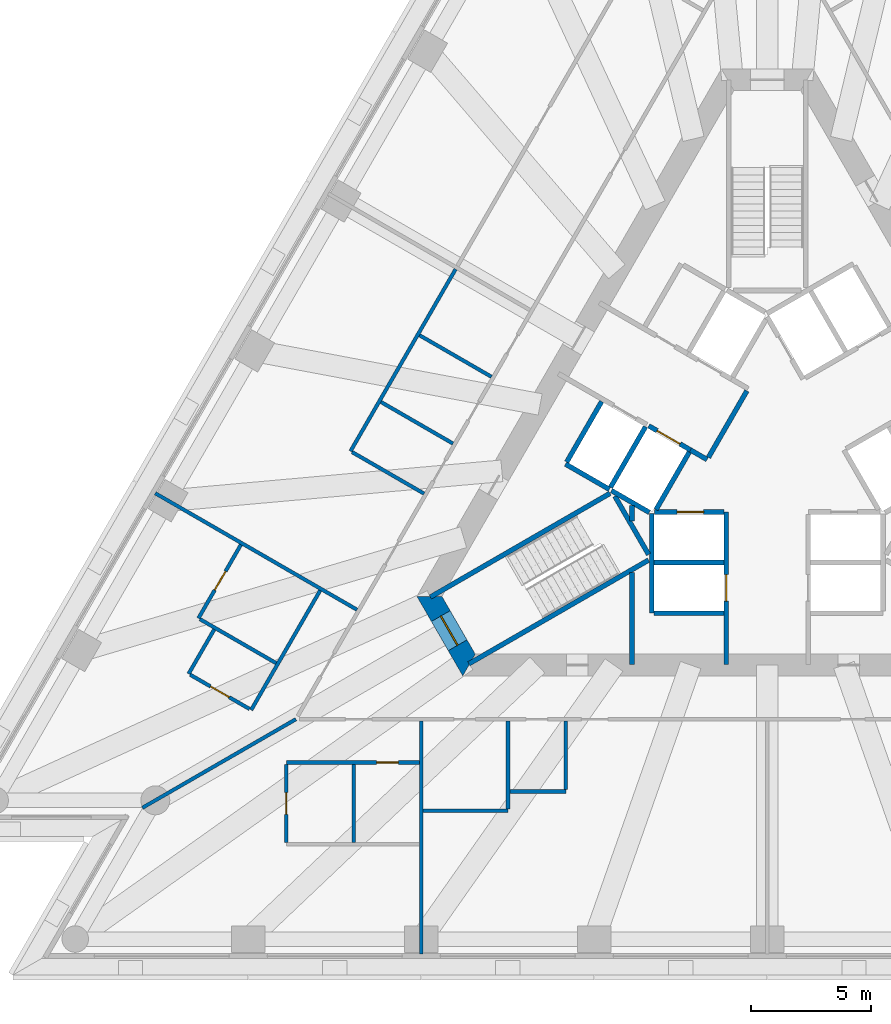
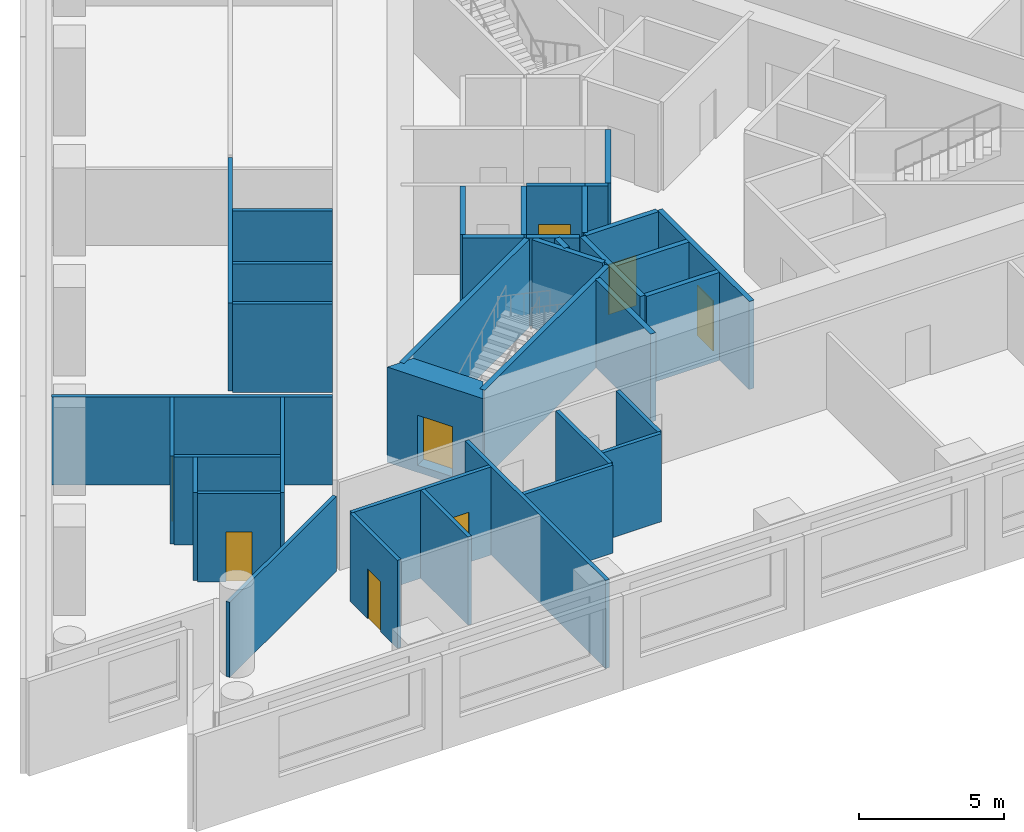
# One storey, part 3 of 11: 38 walls, 8 doors, 8 openings.
"""IFC4 building model written with IfcOpenShell, lengths in metres."""

from ifc_helpers import new_model, si_unit, direction, frame, frame_2d, origin, place, context, subcontext, project, spatial, polyline, rectangle, outline, extrude, material, layer, layer_set, type_object, element, fill, save


model = new_model("IFC4")

# Units and contexts
model_context = context("Model", 3, precision=1e-05, world=origin(), true_north=direction((0.0, 1.0)))
body_context = subcontext(model_context, "Body", "Model", "MODEL_VIEW")
ifc_project = project(units=[si_unit("LENGTHUNIT", "METRE"), si_unit("AREAUNIT", "SQUARE_METRE"), si_unit("VOLUMEUNIT", "CUBIC_METRE"), si_unit("PLANEANGLEUNIT", "RADIAN"), si_unit("MASSUNIT", "GRAM", prefix="KILO")], contexts=[model_context])

# Site, building, storey
site_placement = place(None, origin())
site = spatial("IfcSite", under=ifc_project, at=site_placement, CompositionType="ELEMENT")
building_placement = place(site_placement, origin())
building = spatial("IfcBuilding", under=site, at=building_placement, Name="Triada Interchange Tower", CompositionType="ELEMENT")
storey_placement = place(building_placement, frame((0.0, 0.0, 87.300048828125)))
storey = spatial("IfcBuildingStorey", under=building, at=storey_placement, Name="L19", CompositionType="ELEMENT", Elevation=87.300048828125)

# Walls
ifc_material_1 = material(Name="Concrete C30/37", Category="concrete")
ifc_layer_1 = layer(ifc_material_1, 0.199951171875)
ifc_layer_set_1 = layer_set([ifc_layer_1], Name="CORE WALL 200 EI 120")
wall_type_1 = type_object("IfcWallType", Name="CORE WALL 200 EI 120", PredefinedType="SOLIDWALL", material=ifc_layer_set_1)
wall_1_placement = place(storey_placement, frame((-8.3759765625, -0.70703125, 0.0), z_axis=(0.0, 0.0, 1.0), x_axis=(0.866067520717, -0.499927044236, 0.0)))
element("IfcWall", 1, at=wall_1_placement, inside=storey, type_object=wall_type_1, Name="Wall L18 42", PredefinedType="SOLIDWALL", context=body_context, shape_type="SweptSolid", body=[
    extrude(rectangle(XDim=2.100341796875, YDim=0.199951171875, at=frame_2d((1.05029296875, 0.0))), origin(), (0.0, 0.0, 1.0), 3.699951171875),
])
wall_2_placement = place(storey_placement, frame((-8.325927734375, -0.6201171875, 0.0), z_axis=(0.0, 0.0, 1.0), x_axis=(0.500023687443, 0.866011727401, 0.0)))
element("IfcWall", 2, at=wall_2_placement, inside=storey, type_object=wall_type_1, Name="Wall L18 43", PredefinedType="SOLIDWALL", context=body_context, shape_type="SweptSolid", body=[
    extrude(rectangle(XDim=2.899658203125, YDim=0.199951171875, at=frame_2d((1.44970703125, 0.0))), origin(), (0.0, 0.0, 1.0), 3.699951171875),
])
wall_3_placement = place(storey_placement, frame((-4.699951171875, -4.800048828125, 0.0), z_axis=(0.0, 0.0, 1.0), x_axis=(1.0, 0.0, 0.0)))
element("IfcWall", 3, at=wall_3_placement, inside=storey, type_object=wall_type_1, Name="Wall L18 44", PredefinedType="SOLIDWALL", context=body_context, shape_type="SweptSolid", body=[
    extrude(rectangle(XDim=2.89990234375, YDim=0.199951171875, at=frame_2d((1.449951171875, 0.0))), origin(), (0.0, 0.0, 1.0), 3.699951171875),
])
wall_4_placement = place(storey_placement, frame((-4.800048828125, -6.89990234375, 0.0), z_axis=(0.0, 0.0, 1.0), x_axis=(0.0, 1.0, 0.0)))
element("IfcWall", 4, at=wall_4_placement, inside=storey, type_object=wall_type_1, Name="Wall L18 46", PredefinedType="SOLIDWALL", context=body_context, shape_type="SweptSolid", body=[
    extrude(rectangle(XDim=4.130859375, YDim=0.199951171875, at=frame_2d((2.0654296875, 0.0))), origin(), (0.0, 0.0, 1.0), 3.699951171875),
])
wall_5_placement = place(storey_placement, frame((-4.699951171875, -6.89990234375, 0.0), z_axis=(0.0, 0.0, 1.0), x_axis=(1.0, 0.0, 0.0)))
element("IfcWall", 5, at=wall_5_placement, inside=storey, type_object=wall_type_1, Name="Wall L18 47", PredefinedType="SOLIDWALL", context=body_context, shape_type="SweptSolid", body=[
    extrude(rectangle(XDim=2.89990234375, YDim=0.199951171875, at=frame_2d((1.449951171875, 0.0))), origin(), (0.0, 0.0, 1.0), 3.699951171875),
])

# Wall, opening, door
wall_6_placement = place(storey_placement, frame((-1.699951171875, -9.030029296875, 0.0), z_axis=(0.0, 0.0, 1.0), x_axis=(0.0, 1.0, 0.0)))
wall_6 = element("IfcWall", 6, at=wall_6_placement, inside=storey, type_object=wall_type_1, Name="Wall L18 49", PredefinedType="SOLIDWALL", context=body_context, shape_type="SweptSolid", body=[
    extrude(rectangle(XDim=6.3271484375, YDim=0.199951171875, at=frame_2d((3.16357421875, 0.0))), origin(), (0.0, 0.0, 1.0), 3.699951171875),
])
opening_1_placement = place(wall_6_placement, frame((2.6298828125, 0.0, 0.0)))
opening_1 = element("IfcOpeningElement", 7, at=opening_1_placement, cuts=wall_6, Name="Opening LD-LR4", PredefinedType="OPENING", context=body_context, shape_type="SweptSolid", body=[
    extrude(rectangle(XDim=1.10009765625, YDim=2.10009765625, at=frame_2d((0.550048828125, 1.050048828125))), frame((0.0, 0.10986328125, 0.0), z_axis=(0.0, -1.0, 0.0), x_axis=(1.0, 0.0, 0.0)), (0.0, 0.0, 1.0), 0.219970703125),
])
ifc_material_2 = material(Name="Steel S235 door leaf", Category="steel")
door_type_1 = type_object("IfcDoorType", Name="LIFT LANDING DOOR 1100 EI 120", OperationType="SLIDING_TO_LEFT", PredefinedType="DOOR", material=ifc_material_2)
door_1_placement = place(opening_1_placement, origin())
door_1 = element("IfcDoor", 8, at=door_1_placement, inside=storey, type_object=door_type_1, Name="LR4 landing door L19", OperationType="SLIDING_TO_LEFT", OverallHeight=2.10009765625, OverallWidth=1.10009765625, PredefinedType="DOOR", context=body_context, shape_type="SweptSolid", body=[
    extrude(rectangle(XDim=1.10009765625, YDim=2.10009765625, at=frame_2d((0.550048828125, 1.050048828125))), frame((0.0, 0.02490234375, 0.0), z_axis=(0.0, -1.0, 0.0), x_axis=(1.0, 0.0, 0.0)), (0.0, 0.0, 1.0), 0.050048828125),
])
fill(opening_1, door_1)

wall_7_placement = place(storey_placement, frame((-4.676025390625, -2.699951171875, 0.0), z_axis=(0.0, 0.0, 1.0), x_axis=(1.0, 0.0, 0.0)))
wall_7 = element("IfcWall", 9, at=wall_7_placement, inside=storey, type_object=wall_type_1, Name="Wall L18 50", PredefinedType="SOLIDWALL", context=body_context, shape_type="SweptSolid", body=[
    extrude(rectangle(XDim=2.873046875, YDim=0.199951171875, at=frame_2d((1.4365234375, 0.0))), origin(), (0.0, 0.0, 1.0), 3.699951171875),
])
opening_2_placement = place(wall_7_placement, frame((0.93701171875, 0.0, 0.0)))
opening_2 = element("IfcOpeningElement", 10, at=opening_2_placement, cuts=wall_7, Name="Opening LD-LR3", PredefinedType="OPENING", context=body_context, shape_type="SweptSolid", body=[
    extrude(rectangle(XDim=1.10009765625, YDim=2.10009765625, at=frame_2d((0.550048828125, 1.050048828125))), frame((0.0, 0.10986328125, 0.0), z_axis=(0.0, -1.0, 0.0), x_axis=(1.0, 0.0, 0.0)), (0.0, 0.0, 1.0), 0.219970703125),
])
door_2_placement = place(opening_2_placement, origin())
door_2 = element("IfcDoor", 11, at=door_2_placement, inside=storey, type_object=door_type_1, Name="LR3 landing door L19", OperationType="SLIDING_TO_LEFT", OverallHeight=2.10009765625, OverallWidth=1.10009765625, PredefinedType="DOOR", context=body_context, shape_type="SweptSolid", body=[
    extrude(rectangle(XDim=1.10009765625, YDim=2.10009765625, at=frame_2d((0.550048828125, 1.050048828125))), frame((0.0, 0.02490234375, 0.0), z_axis=(0.0, -1.0, 0.0), x_axis=(1.0, 0.0, 0.0)), (0.0, 0.0, 1.0), 0.050048828125),
])
fill(opening_2, door_2)

# Walls
ifc_layer_2 = layer(ifc_material_1, 0.199951171875)
ifc_layer_set_2 = layer_set([ifc_layer_2], Name="CORE WALL 200 EI 180")
wall_type_2 = type_object("IfcWallType", Name="CORE WALL 200 EI 180", PredefinedType="SOLIDWALL", material=ifc_layer_set_2)
wall_8_placement = place(storey_placement, frame((-3.18798828125, -0.1220703125, 0.0), z_axis=(0.0, 0.0, 1.0), x_axis=(0.865705793592, -0.50055317294, 0.0)))
element("IfcWall", 12, at=wall_8_placement, inside=storey, type_object=wall_type_2, Name="Wall L18 65", PredefinedType="SOLIDWALL", context=body_context, shape_type="SweptSolid", body=[
    extrude(rectangle(XDim=0.796875, YDim=0.199951171875, at=frame_2d((0.3984375, 0.0))), origin(), (0.0, 0.0, 1.0), 3.699951171875),
])
wall_9_placement = place(storey_placement, frame((-2.444091796875, -0.43310546875, 0.0), z_axis=(0.0, 0.0, 1.0), x_axis=(0.500035624827, 0.866004834804, 0.0)))
element("IfcWall", 13, at=wall_9_placement, inside=storey, type_object=wall_type_2, Name="Wall L18 70", PredefinedType="SOLIDWALL", context=body_context, shape_type="SweptSolid", body=[
    extrude(rectangle(XDim=3.194091796875, YDim=0.199951171875, at=frame_2d((1.59716796875, 0.0))), origin(), (0.0, 0.0, 1.0), 3.699951171875),
])
wall_10_placement = place(storey_placement, frame((-6.507080078125, -1.669921875, 0.0), z_axis=(0.0, 0.0, 1.0), x_axis=(0.50012328804, 0.865954211699, 0.0)))
element("IfcWall", 14, at=wall_10_placement, inside=storey, type_object=wall_type_2, Name="Shaft wall FF1 L18 71", PredefinedType="SOLIDWALL", context=body_context, shape_type="SweptSolid", body=[
    extrude(rectangle(XDim=2.899658203125, YDim=0.199951171875, at=frame_2d((1.44970703125, 0.0))), origin(), (0.0, 0.0, 1.0), 3.699951171875),
])
wall_11_placement = place(storey_placement, frame((-6.469970703125, -1.806884765625, 0.0), z_axis=(0.0, 0.0, 1.0), x_axis=(0.865883195159, -0.500246231712, 0.0)))
element("IfcWall", 15, at=wall_11_placement, inside=storey, type_object=wall_type_2, Name="Shaft wall FF1 L18 72", PredefinedType="SOLIDWALL", context=body_context, shape_type="SweptSolid", body=[
    extrude(rectangle(XDim=1.8154296875, YDim=0.199951171875, at=frame_2d((0.90771484375, 0.0))), origin(), (0.0, 0.0, 1.0), 3.699951171875),
])

# Wall, opening, door
wall_12_placement = place(storey_placement, frame((-4.922119140625, 0.87890625, 0.0), z_axis=(0.0, 0.0, 1.0), x_axis=(0.866073918653, -0.499915960366, 0.0)))
wall_12 = element("IfcWall", 16, at=wall_12_placement, inside=storey, type_object=wall_type_2, Name="Shaft wall FF1 L18 73", PredefinedType="SOLIDWALL", context=body_context, shape_type="SweptSolid", body=[
    extrude(rectangle(XDim=2.002197265625, YDim=0.199951171875, at=frame_2d((1.0009765625, 0.0))), origin(), (0.0, 0.0, 1.0), 3.699951171875),
])
opening_3_placement = place(wall_12_placement, frame((0.402099609375, 0.0, 0.0)))
opening_3 = element("IfcOpeningElement", 17, at=opening_3_placement, cuts=wall_12, Name="Opening LD-FF1", PredefinedType="OPENING", context=body_context, shape_type="SweptSolid", body=[
    extrude(rectangle(XDim=1.10009765625, YDim=2.10009765625, at=frame_2d((0.550048828125, 1.050048828125))), frame((0.0, 0.10986328125, 0.0), z_axis=(0.0, -1.0, 0.0), x_axis=(1.0, 0.0, 0.0)), (0.0, 0.0, 1.0), 0.219970703125),
])
door_3_placement = place(opening_3_placement, origin())
door_3 = element("IfcDoor", 18, at=door_3_placement, inside=storey, type_object=door_type_1, Name="FF1 landing door L19", OperationType="SLIDING_TO_LEFT", OverallHeight=2.10009765625, OverallWidth=1.10009765625, PredefinedType="DOOR", context=body_context, shape_type="SweptSolid", body=[
    extrude(rectangle(XDim=1.10009765625, YDim=2.10009765625, at=frame_2d((0.550048828125, 1.050048828125))), frame((0.0, 0.02490234375, 0.0), z_axis=(0.0, -1.0, 0.0), x_axis=(1.0, 0.0, 0.0)), (0.0, 0.0, 1.0), 0.050048828125),
])
fill(opening_3, door_3)

# Walls
wall_13_placement = place(storey_placement, frame((-4.618896484375, -2.60009765625, 0.0), z_axis=(0.0, 0.0, 1.0), x_axis=(0.50009492287, 0.865970593103, 0.0)))
element("IfcWall", 19, at=wall_13_placement, inside=storey, type_object=wall_type_2, Name="Shaft wall FF1 L18 74", PredefinedType="SOLIDWALL", context=body_context, shape_type="SweptSolid", body=[
    extrude(rectangle(XDim=2.76123046875, YDim=0.199951171875, at=frame_2d((1.380615234375, 0.0))), origin(), (0.0, 0.0, 1.0), 3.699951171875),
])
ifc_layer_3 = layer(ifc_material_1, 0.199951171875)
ifc_layer_set_3 = layer_set([ifc_layer_3], Name="CORE WALL 200 EI 90")
wall_type_3 = type_object("IfcWallType", Name="CORE WALL 200 EI 90", PredefinedType="SOLIDWALL", material=ifc_layer_set_3)
wall_14_placement = place(storey_placement, frame((-5.612060546875, -9.030029296875, 0.0), z_axis=(0.0, 0.0, 1.0), x_axis=(0.0, 1.0, 0.0)))
element("IfcWall", 20, at=wall_14_placement, inside=storey, type_object=wall_type_3, Name="Wall L18 79", PredefinedType="SOLIDWALL", context=body_context, shape_type="SweptSolid", body=[
    extrude(rectangle(XDim=3.8271484375, YDim=0.199951171875, at=frame_2d((1.91357421875, 0.0))), origin(), (0.0, 0.0, 1.0), 3.699951171875),
])
wall_15_placement = place(storey_placement, frame((-5.612060546875, -3.080078125, 0.0), z_axis=(0.0, 0.0, 1.0), x_axis=(0.0, 1.0, 0.0)))
element("IfcWall", 21, at=wall_15_placement, inside=storey, type_object=wall_type_3, Name="Wall L18 80", PredefinedType="SOLIDWALL", context=body_context, shape_type="SweptSolid", body=[
    extrude(rectangle(XDim=0.662109375, YDim=0.199951171875, at=frame_2d((0.3310546875, 0.0))), origin(), (0.0, 0.0, 1.0), 3.699951171875),
])
ifc_layer_4 = layer(ifc_material_1, 0.199951171875)
ifc_layer_set_4 = layer_set([ifc_layer_4], Name="CORE WALL 200 REI 240")
wall_type_4 = type_object("IfcWallType", Name="CORE WALL 200 REI 240", PredefinedType="SOLIDWALL", material=ifc_layer_set_4)
wall_16_placement = place(storey_placement, frame((-13.989990234375, -6.22900390625, 0.0), z_axis=(0.0, 0.0, 1.0), x_axis=(0.866060059011, 0.499939970583, 0.0)))
element("IfcWall", 22, at=wall_16_placement, inside=storey, type_object=wall_type_4, Name="Wall L18 81", PredefinedType="SOLIDWALL", context=body_context, shape_type="SweptSolid", body=[
    extrude(rectangle(XDim=8.61474609375, YDim=0.199951171875, at=frame_2d((4.307373046875, 0.0))), origin(), (0.0, 0.0, 1.0), 3.699951171875),
])
wall_17_placement = place(storey_placement, frame((-6.3291015625, -2.0380859375, 0.0), z_axis=(0.0, 0.0, 1.0), x_axis=(0.500200581029, -0.865909567298, 0.0)))
element("IfcWall", 23, at=wall_17_placement, inside=storey, type_object=wall_type_4, Name="Wall L18 82", PredefinedType="SOLIDWALL", context=body_context, shape_type="SweptSolid", body=[
    extrude(rectangle(XDim=2.799072265625, YDim=0.199951171875, at=frame_2d((1.3994140625, 0.0))), origin(), (0.0, 0.0, 1.0), 3.699951171875),
])
wall_18_placement = place(storey_placement, frame((-12.389892578125, -9.0009765625, 0.0), z_axis=(0.0, 0.0, 1.0), x_axis=(0.866010975815, 0.500024989144, 0.0)))
element("IfcWall", 24, at=wall_18_placement, inside=storey, type_object=wall_type_4, Name="Wall L18 83", PredefinedType="SOLIDWALL", context=body_context, shape_type="SweptSolid", body=[
    extrude(rectangle(XDim=8.615234375, YDim=0.199951171875, at=frame_2d((4.3076171875, 0.0))), origin(), (0.0, 0.0, 1.0), 3.699951171875),
])

# Wall, opening, door
ifc_material_3 = material(Name="Concrete C70/85", Category="concrete")
ifc_layer_5 = layer(ifc_material_3, 0.89990234375)
ifc_layer_set_5 = layer_set([ifc_layer_5], Name="Core wall A 900")
wall_type_5 = type_object("IfcWallType", Name="Core wall A 900", PredefinedType="SHEAR", material=ifc_layer_set_5)
wall_19_placement = place(storey_placement, frame((-14.030029296875, -6.199951171875, -0.300048828125), z_axis=(0.0, 0.0, 1.0), x_axis=(0.500111984565, -0.865960739811, 0.0)))
wall_19 = element("IfcWall", 25, at=wall_19_placement, inside=storey, type_object=wall_type_5, Name="Core wall WA03 L19", PredefinedType="SHEAR", context=body_context, shape_type="SweptSolid", body=[
    extrude(outline(polyline([(-0.260009765625, -0.448974609375), (1.6455078125, -0.449462890625), (3.551025390625, -0.449951171875), (3.031982421875, 0.449951171875), (1.64599609375, 0.449951171875), (0.260009765625, 0.449951171875), (-0.260009765625, -0.448974609375)])), origin(), (0.0, 0.0, 1.0), 4.0),
])
opening_4_placement = place(wall_19_placement, frame((0.946044921875, 0.0, 0.300048828125)))
opening_4 = element("IfcOpeningElement", 26, at=opening_4_placement, cuts=wall_19, Name="Opening D18-40", PredefinedType="OPENING", context=body_context, shape_type="SweptSolid", body=[
    extrude(rectangle(XDim=1.39990234375, YDim=2.10009765625, at=frame_2d((0.699951171875, 1.050048828125))), frame((0.0, 0.4599609375, 0.0), z_axis=(0.0, -1.0, 0.0), x_axis=(1.0, 0.0, 0.0)), (0.0, 0.0, 1.0), 0.919921875),
])
door_type_2 = type_object("IfcDoorType", Name="STAIR DOOR 1400 EI2 90-C5S200", OperationType="DOUBLE_DOOR_SINGLE_SWING", PredefinedType="DOOR", material=ifc_material_2)
door_4_placement = place(opening_4_placement, origin())
door_4 = element("IfcDoor", 27, at=door_4_placement, inside=storey, type_object=door_type_2, Name="Door D18-40 L19", OperationType="DOUBLE_DOOR_SINGLE_SWING", OverallHeight=2.10009765625, OverallWidth=1.39990234375, PredefinedType="DOOR", context=body_context, shape_type="SweptSolid", body=[
    extrude(rectangle(XDim=1.39990234375, YDim=2.10009765625, at=frame_2d((0.699951171875, 1.050048828125))), frame((0.0, 0.02490234375, 0.0), z_axis=(0.0, -1.0, 0.0), x_axis=(1.0, 0.0, 0.0)), (0.0, 0.0, 1.0), 0.050048828125),
])
fill(opening_4, door_4)

# Walls
ifc_material_4 = material(Name="Gypsum board partition")
ifc_layer_6 = layer(ifc_material_4, 0.14990234375)
ifc_layer_set_6 = layer_set([ifc_layer_6], Name="PARTITION 150 EI 180")
wall_type_6 = type_object("IfcWallType", Name="PARTITION 150 EI 180", PredefinedType="PARTITIONING", material=ifc_layer_set_6)
wall_20_placement = place(storey_placement, frame((-25.946044921875, -14.97998046875, 0.0), z_axis=(0.0, 0.0, 1.0), x_axis=(0.866032022822, 0.499988535315, 0.0)))
element("IfcWall", 28, at=wall_20_placement, inside=storey, type_object=wall_type_6, Name="Wall L18 1", PredefinedType="PARTITIONING", context=body_context, shape_type="SweptSolid", body=[
    extrude(rectangle(XDim=7.360107421875, YDim=0.14990234375, at=frame_2d((3.68017578125, 0.0))), origin(), (0.0, 0.0, 1.0), 3.14990234375),
])
wall_21_placement = place(storey_placement, frame((-25.4130859375, -1.91796875, 0.0), z_axis=(0.0, 0.0, 1.0), x_axis=(0.866035557451, -0.499982412921, 0.0)))
element("IfcWall", 29, at=wall_21_placement, inside=storey, type_object=wall_type_6, Name="Wall L18 2", PredefinedType="PARTITIONING", context=body_context, shape_type="SweptSolid", body=[
    extrude(rectangle(XDim=9.674072265625, YDim=0.14990234375, at=frame_2d((4.8369140625, 0.0))), origin(), (0.0, 0.0, 1.0), 3.699951171875),
])
wall_22_placement = place(storey_placement, frame((-17.303955078125, -0.1708984375, 0.0), z_axis=(0.0, 0.0, 1.0), x_axis=(0.500054279689, 0.865994063124, 0.0)))
element("IfcWall", 30, at=wall_22_placement, inside=storey, type_object=wall_type_6, Name="Wall L18 7", PredefinedType="PARTITIONING", context=body_context, shape_type="SweptSolid", body=[
    extrude(rectangle(XDim=8.72509765625, YDim=0.14990234375, at=frame_2d((4.362548828125, 0.0))), origin(), (0.0, 0.0, 1.0), 3.699951171875),
])
for number, where, z_axis, x_axis, name in (
    (31, (-17.239013671875, -0.208984375, 0.0), (0.0, 0.0, 1.0), (0.866031223622, -0.49998991961, 0.0), "Wall L18 8"),
    (32, (-16.0390625, 1.8701171875, 0.0), (0.0, 0.0, 1.0), (0.866031223622, -0.49998991961, 0.0), "Wall L18 9"),
    (33, (-14.43896484375, 4.64111328125, 0.0), (0.0, 0.0, 1.0), (0.866031223622, -0.49998991961, 0.0), "Wall L18 10"),
):
    element("IfcWall", number, at=place(storey_placement, frame(where, z_axis=z_axis, x_axis=x_axis)), inside=storey, type_object=wall_type_6, Name=name, PredefinedType="PARTITIONING", context=body_context, shape_type="SweptSolid", body=[
        extrude(rectangle(XDim=3.4501953125, YDim=0.14990234375, at=frame_2d((1.72509765625, 0.0))), origin(), (0.0, 0.0, 1.0), 3.699951171875),
    ])
wall_23_placement = place(storey_placement, frame((-14.366943359375, -21.049072265625, 0.0), z_axis=(0.0, 0.0, 1.0), x_axis=(0.0, 1.0, 0.0)))
element("IfcWall", 34, at=wall_23_placement, inside=storey, type_object=wall_type_6, Name="Wall L18 11", PredefinedType="PARTITIONING", context=body_context, shape_type="SweptSolid", body=[
    extrude(rectangle(XDim=9.674072265625, YDim=0.14990234375, at=frame_2d((4.8369140625, 0.0))), origin(), (0.0, 0.0, 1.0), 3.699951171875),
])
wall_24_placement = place(storey_placement, frame((-14.2919921875, -15.10009765625, 0.0), z_axis=(0.0, 0.0, 1.0), x_axis=(1.0, 0.0, 0.0)))
element("IfcWall", 35, at=wall_24_placement, inside=storey, type_object=wall_type_6, Name="Wall L18 12", PredefinedType="PARTITIONING", context=body_context, shape_type="SweptSolid", body=[
    extrude(rectangle(XDim=3.52490234375, YDim=0.14990234375, at=frame_2d((1.762451171875, 0.0))), origin(), (0.0, 0.0, 1.0), 3.699951171875),
])
wall_25_placement = place(storey_placement, frame((-10.76708984375, -15.02490234375, 0.0), z_axis=(0.0, 0.0, 1.0), x_axis=(0.0, 1.0, 0.0)))
element("IfcWall", 36, at=wall_25_placement, inside=storey, type_object=wall_type_6, Name="Wall L18 13", PredefinedType="PARTITIONING", context=body_context, shape_type="SweptSolid", body=[
    extrude(rectangle(XDim=3.64990234375, YDim=0.14990234375, at=frame_2d((1.824951171875, 0.0))), origin(), (0.0, 0.0, 1.0), 3.699951171875),
])
wall_26_placement = place(storey_placement, frame((-10.69189453125, -14.300048828125, 0.0), z_axis=(0.0, 0.0, 1.0), x_axis=(1.0, 0.0, 0.0)))
element("IfcWall", 37, at=wall_26_placement, inside=storey, type_object=wall_type_6, Name="Wall L18 15", PredefinedType="PARTITIONING", context=body_context, shape_type="SweptSolid", body=[
    extrude(rectangle(XDim=2.324951171875, YDim=0.14990234375, at=frame_2d((1.16259765625, 0.0))), origin(), (0.0, 0.0, 1.0), 3.699951171875),
])
wall_27_placement = place(storey_placement, frame((-8.366943359375, -14.22509765625, 0.0), z_axis=(0.0, 0.0, 1.0), x_axis=(0.0, 1.0, 0.0)))
element("IfcWall", 38, at=wall_27_placement, inside=storey, type_object=wall_type_6, Name="Wall L18 16", PredefinedType="PARTITIONING", context=body_context, shape_type="SweptSolid", body=[
    extrude(rectangle(XDim=2.85009765625, YDim=0.14990234375, at=frame_2d((1.425048828125, 0.0))), origin(), (0.0, 0.0, 1.0), 3.699951171875),
])
ifc_layer_7 = layer(ifc_material_4, 0.14990234375)
ifc_layer_set_7 = layer_set([ifc_layer_7], Name="PARTITION 150 EI 90")
wall_type_7 = type_object("IfcWallType", Name="PARTITION 150 EI 90", PredefinedType="PARTITIONING", material=ifc_layer_set_7)
wall_28_placement = place(storey_placement, frame((-21.428955078125, -10.916015625, 0.0), z_axis=(0.0, 0.0, 1.0), x_axis=(0.500069422629, 0.865985318901, 0.0)))
element("IfcWall", 39, at=wall_28_placement, inside=storey, type_object=wall_type_7, Name="Wall L18 28", PredefinedType="PARTITIONING", context=body_context, shape_type="SweptSolid", body=[
    extrude(rectangle(XDim=5.725341796875, YDim=0.14990234375, at=frame_2d((2.86279296875, 0.0))), origin(), (0.0, 0.0, 1.0), 3.699951171875),
])

# Wall, opening, door
wall_29_placement = place(storey_placement, frame((-23.6201171875, -7.110107421875, 0.0), z_axis=(0.0, 0.0, 1.0), x_axis=(0.500236053335, 0.865889075427, 0.0)))
wall_29 = element("IfcWall", 40, at=wall_29_placement, inside=storey, type_object=wall_type_7, Name="Wall L18 29", PredefinedType="PARTITIONING", context=body_context, shape_type="SweptSolid", body=[
    extrude(rectangle(XDim=3.524658203125, YDim=0.14990234375, at=frame_2d((1.76220703125, 0.0))), origin(), (0.0, 0.0, 1.0), 3.699951171875),
])
opening_5_placement = place(wall_29_placement, frame((1.35009765625, 0.0, 0.0)))
opening_5 = element("IfcOpeningElement", 41, at=opening_5_placement, cuts=wall_29, Name="Opening D18-36", PredefinedType="OPENING", context=body_context, shape_type="SweptSolid", body=[
    extrude(rectangle(XDim=0.89990234375, YDim=2.10009765625, at=frame_2d((0.449951171875, 1.050048828125))), frame((0.0, 0.0849609375, 0.0), z_axis=(0.0, -1.0, 0.0), x_axis=(1.0, 0.0, 0.0)), (0.0, 0.0, 1.0), 0.169921875),
])
door_type_3 = type_object("IfcDoorType", Name="ROOM DOOR 900 EI2 45-C5S200", OperationType="NOTDEFINED", PredefinedType="DOOR", material=ifc_material_2)
door_5_placement = place(opening_5_placement, origin())
door_5 = element("IfcDoor", 42, at=door_5_placement, inside=storey, type_object=door_type_3, Name="Door D18-36 L19", OperationType="SINGLE_SWING_LEFT", OverallHeight=2.10009765625, OverallWidth=0.89990234375, PredefinedType="DOOR", context=body_context, shape_type="SweptSolid", body=[
    extrude(rectangle(XDim=0.89990234375, YDim=2.10009765625, at=frame_2d((0.449951171875, 1.050048828125))), frame((0.0, 0.02490234375, 0.0), z_axis=(0.0, -1.0, 0.0), x_axis=(1.0, 0.0, 0.0)), (0.0, 0.0, 1.0), 0.050048828125),
])
fill(opening_5, door_5)

# Walls
wall_30_placement = place(storey_placement, frame((-23.554931640625, -7.14794921875, 0.0), z_axis=(0.0, 0.0, 1.0), x_axis=(0.866024069551, -0.500002310952, 0.0)))
element("IfcWall", 43, at=wall_30_placement, inside=storey, type_object=wall_type_7, Name="Wall L18 30", PredefinedType="PARTITIONING", context=body_context, shape_type="SweptSolid", body=[
    extrude(rectangle(XDim=3.64990234375, YDim=0.14990234375, at=frame_2d((1.824951171875, 0.0))), origin(), (0.0, 0.0, 1.0), 3.699951171875),
])
wall_31_placement = place(storey_placement, frame((-24.027099609375, -9.416015625, 0.0), z_axis=(0.0, 0.0, 1.0), x_axis=(0.500017365573, 0.866015377534, 0.0)))
element("IfcWall", 44, at=wall_31_placement, inside=storey, type_object=wall_type_7, Name="Wall L18 31", PredefinedType="PARTITIONING", context=body_context, shape_type="SweptSolid", body=[
    extrude(rectangle(XDim=2.1259765625, YDim=0.14990234375, at=frame_2d((1.06298828125, 0.0))), origin(), (0.0, 0.0, 1.0), 3.699951171875),
])

# Wall, opening, door
wall_32_placement = place(storey_placement, frame((-23.9619140625, -9.452880859375, 0.0), z_axis=(0.0, 0.0, 1.0), x_axis=(0.866004402611, -0.500036373335, 0.0)))
wall_32 = element("IfcWall", 45, at=wall_32_placement, inside=storey, type_object=wall_type_7, Name="Wall L18 32", PredefinedType="PARTITIONING", context=body_context, shape_type="SweptSolid", body=[
    extrude(rectangle(XDim=2.849853515625, YDim=0.14990234375, at=frame_2d((1.4248046875, 0.0))), origin(), (0.0, 0.0, 1.0), 3.699951171875),
])
opening_6_placement = place(wall_32_placement, frame((0.97509765625, 0.0, 0.0)))
opening_6 = element("IfcOpeningElement", 46, at=opening_6_placement, cuts=wall_32, Name="Opening D18-37", PredefinedType="OPENING", context=body_context, shape_type="SweptSolid", body=[
    extrude(rectangle(XDim=0.89990234375, YDim=2.10009765625, at=frame_2d((0.449951171875, 1.050048828125))), frame((0.0, 0.0849609375, 0.0), z_axis=(0.0, -1.0, 0.0), x_axis=(1.0, 0.0, 0.0)), (0.0, 0.0, 1.0), 0.169921875),
])
door_type_4 = type_object("IfcDoorType", Name="SERVICE DOOR 900 EI2 45-C5S200", OperationType="NOTDEFINED", PredefinedType="DOOR", material=ifc_material_2)
door_6_placement = place(opening_6_placement, origin())
door_6 = element("IfcDoor", 47, at=door_6_placement, inside=storey, type_object=door_type_4, Name="Door D18-37 L19", OperationType="SINGLE_SWING_RIGHT", OverallHeight=2.10009765625, OverallWidth=0.89990234375, PredefinedType="DOOR", context=body_context, shape_type="SweptSolid", body=[
    extrude(rectangle(XDim=0.89990234375, YDim=2.10009765625, at=frame_2d((0.449951171875, 1.050048828125))), frame((0.0, 0.02490234375, 0.0), z_axis=(0.0, -1.0, 0.0), x_axis=(1.0, 0.0, 0.0)), (0.0, 0.0, 1.0), 0.050048828125),
])
fill(opening_6, door_6)

# Wall
wall_33_placement = place(storey_placement, frame((-17.1669921875, -16.425048828125, 0.0), z_axis=(0.0, 0.0, 1.0), x_axis=(0.0, 1.0, 0.0)))
element("IfcWall", 48, at=wall_33_placement, inside=storey, type_object=wall_type_7, Name="Wall L18 34", PredefinedType="PARTITIONING", context=body_context, shape_type="SweptSolid", body=[
    extrude(rectangle(XDim=3.25, YDim=0.14990234375, at=frame_2d((1.625, 0.0))), origin(), (0.0, 0.0, 1.0), 3.699951171875),
])

# Wall, opening, door
wall_34_placement = place(storey_placement, frame((-19.967041015625, -13.10009765625, 0.0), z_axis=(0.0, 0.0, 1.0), x_axis=(1.0, 0.0, 0.0)))
wall_34 = element("IfcWall", 49, at=wall_34_placement, inside=storey, type_object=wall_type_7, Name="Wall L18 35", PredefinedType="PARTITIONING", context=body_context, shape_type="SweptSolid", body=[
    extrude(rectangle(XDim=5.525146484375, YDim=0.14990234375, at=frame_2d((2.7626953125, 0.0))), origin(), (0.0, 0.0, 1.0), 3.699951171875),
])
opening_7_placement = place(wall_34_placement, frame((3.75, 0.0, 0.0)))
opening_7 = element("IfcOpeningElement", 50, at=opening_7_placement, cuts=wall_34, Name="Opening D18-12", PredefinedType="OPENING", context=body_context, shape_type="SweptSolid", body=[
    extrude(rectangle(XDim=0.89990234375, YDim=2.10009765625, at=frame_2d((0.449951171875, 1.050048828125))), frame((0.0, 0.0849609375, 0.0), z_axis=(0.0, -1.0, 0.0), x_axis=(1.0, 0.0, 0.0)), (0.0, 0.0, 1.0), 0.169921875),
])
door_7_placement = place(opening_7_placement, origin())
door_7 = element("IfcDoor", 51, at=door_7_placement, inside=storey, type_object=door_type_3, Name="Door D18-12 L19", OperationType="SINGLE_SWING_LEFT", OverallHeight=2.10009765625, OverallWidth=0.89990234375, PredefinedType="DOOR", context=body_context, shape_type="SweptSolid", body=[
    extrude(rectangle(XDim=0.89990234375, YDim=2.10009765625, at=frame_2d((0.449951171875, 1.050048828125))), frame((0.0, 0.02490234375, 0.0), z_axis=(0.0, -1.0, 0.0), x_axis=(1.0, 0.0, 0.0)), (0.0, 0.0, 1.0), 0.050048828125),
])
fill(opening_7, door_7)

wall_35_placement = place(storey_placement, frame((-19.967041015625, -16.425048828125, 0.0), z_axis=(0.0, 0.0, 1.0), x_axis=(0.0, 1.0, 0.0)))
wall_35 = element("IfcWall", 52, at=wall_35_placement, inside=storey, type_object=wall_type_7, Name="Wall L18 36", PredefinedType="PARTITIONING", context=body_context, shape_type="SweptSolid", body=[
    extrude(rectangle(XDim=3.25, YDim=0.14990234375, at=frame_2d((1.625, 0.0))), origin(), (0.0, 0.0, 1.0), 3.699951171875),
])
opening_8_placement = place(wall_35_placement, frame((1.175048828125, 0.0, 0.0)))
opening_8 = element("IfcOpeningElement", 53, at=opening_8_placement, cuts=wall_35, Name="Opening D18-13", PredefinedType="OPENING", context=body_context, shape_type="SweptSolid", body=[
    extrude(rectangle(XDim=0.89990234375, YDim=2.10009765625, at=frame_2d((0.449951171875, 1.050048828125))), frame((0.0, 0.0849609375, 0.0), z_axis=(0.0, -1.0, 0.0), x_axis=(1.0, 0.0, 0.0)), (0.0, 0.0, 1.0), 0.169921875),
])
door_8_placement = place(opening_8_placement, origin())
door_8 = element("IfcDoor", 54, at=door_8_placement, inside=storey, type_object=door_type_3, Name="Door D18-13 L19", OperationType="SINGLE_SWING_LEFT", OverallHeight=2.10009765625, OverallWidth=0.89990234375, PredefinedType="DOOR", context=body_context, shape_type="SweptSolid", body=[
    extrude(rectangle(XDim=0.89990234375, YDim=2.10009765625, at=frame_2d((0.449951171875, 1.050048828125))), frame((0.0, 0.02490234375, 0.0), z_axis=(0.0, -1.0, 0.0), x_axis=(1.0, 0.0, 0.0)), (0.0, 0.0, 1.0), 0.050048828125),
])
fill(opening_8, door_8)

save(model, "model.ifc")
